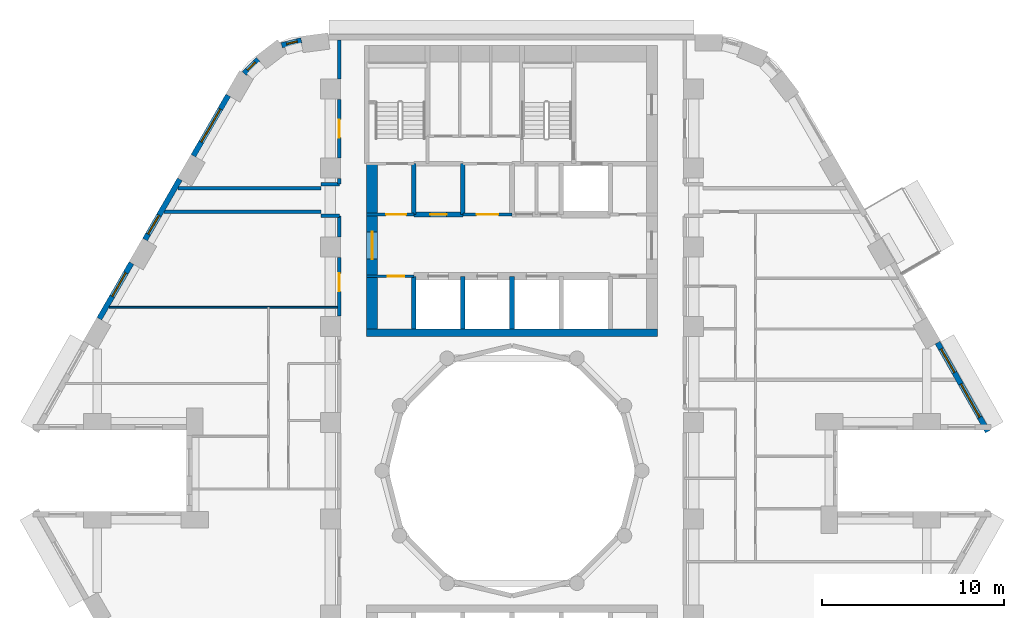
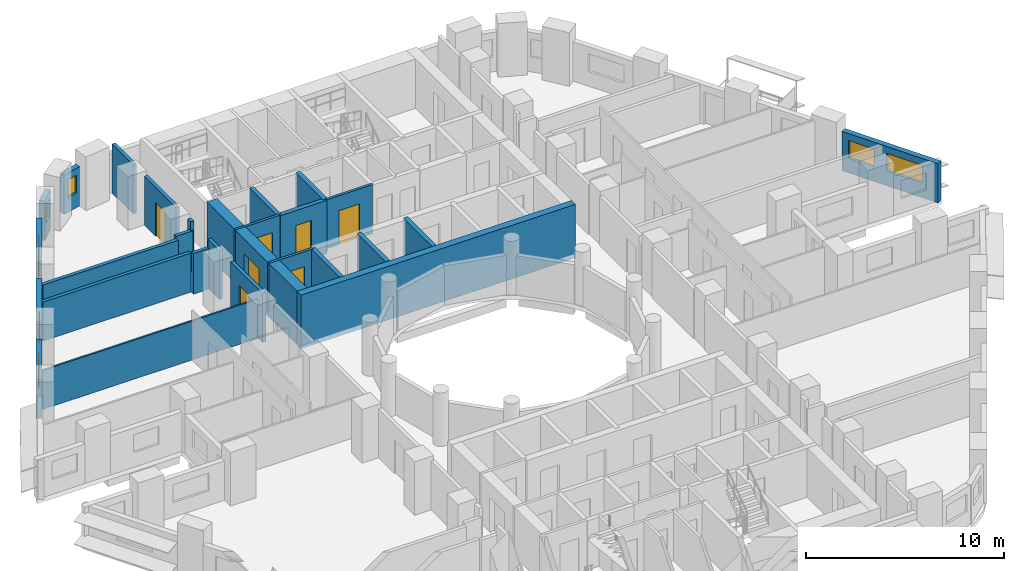
# One storey, part 7 of 13: 27 walls, 7 doors, 7 windows, 14 openings.
"""IFC4 building model written with IfcOpenShell, lengths in metres."""

from ifc_helpers import new_model, si_unit, direction, frame, frame_2d, origin, place, context, subcontext, project, spatial, rectangle, extrude, material, layer, layer_set, type_object, element, fill, save


model = new_model("IFC4")

# Units and contexts
model_context = context("Model", 3, precision=1e-05, world=origin(), true_north=direction((0.0, 1.0)))
body_context = subcontext(model_context, "Body", "Model", "MODEL_VIEW")
ifc_project = project(units=[si_unit("LENGTHUNIT", "METRE"), si_unit("AREAUNIT", "SQUARE_METRE"), si_unit("VOLUMEUNIT", "CUBIC_METRE"), si_unit("PLANEANGLEUNIT", "RADIAN"), si_unit("MASSUNIT", "GRAM", prefix="KILO")], contexts=[model_context])

# Site, building, storey
site_placement = place(None, origin())
site = spatial("IfcSite", under=ifc_project, at=site_placement, CompositionType="ELEMENT")
building_placement = place(site_placement, origin())
building = spatial("IfcBuilding", under=site, at=building_placement, Name="Nakaniwa Court", CompositionType="ELEMENT")
storey_placement = place(building_placement, frame((0.0, 0.0, 61.199951171875)))
storey = spatial("IfcBuildingStorey", under=building, at=storey_placement, Name="L16", CompositionType="ELEMENT", Elevation=61.199951171875)

# Walls
ifc_material_1 = material(Name="Acoustic double stud partition")
ifc_layer_1 = layer(ifc_material_1, 0.199951171875)
ifc_layer_set_1 = layer_set([ifc_layer_1], Name="Acoustic double stud partition")
wall_type_1 = type_object("IfcWallType", Name="Acoustic double stud partition 200", PredefinedType="PARTITIONING", material=ifc_layer_set_1)
wall_1_placement = place(storey_placement, frame((60.86083984375, 94.25, 0.0), z_axis=(0.0, 0.0, 1.0), x_axis=(1.0, 0.0, 0.0)))
element("IfcWall", 1, at=wall_1_placement, inside=storey, type_object=wall_type_1, Name="Partition PW-084", PredefinedType="PARTITIONING", context=body_context, shape_type="SweptSolid", body=[
    extrude(rectangle(XDim=8.63916015625, YDim=0.199951171875, at=frame_2d((4.319580078125, 0.0))), origin(), (0.0, 0.0, 1.0), 2.405029296875),
])
for number, where, z_axis, x_axis, name in (
    (2, (69.5, 94.02490234375, 0.0), (0.0, 0.0, 1.0), (1.0, 0.0, 0.0), "Partition PW-086"),
    (3, (69.5, 95.77490234375, 0.0), (0.0, 0.0, 1.0), (1.0, 0.0, 0.0), "Partition PW-088"),
):
    element("IfcWall", number, at=place(storey_placement, frame(where, z_axis=z_axis, x_axis=x_axis)), inside=storey, type_object=wall_type_1, Name=name, PredefinedType="PARTITIONING", context=body_context, shape_type="SweptSolid", body=[
        extrude(rectangle(XDim=1.0, YDim=0.199951171875, at=frame_2d((0.5, 0.0))), origin(), (0.0, 0.0, 1.0), 2.505126953125),
    ])
wall_2_placement = place(storey_placement, frame((61.611328125, 95.550048828125, 0.0), z_axis=(0.0, 0.0, 1.0), x_axis=(1.0, 0.0, 0.0)))
element("IfcWall", 4, at=wall_2_placement, inside=storey, type_object=wall_type_1, Name="Partition PW-090", PredefinedType="PARTITIONING", context=body_context, shape_type="SweptSolid", body=[
    extrude(rectangle(XDim=7.888671875, YDim=0.199951171875, at=frame_2d((3.9443359375, 0.0))), origin(), (0.0, 0.0, 1.0), 2.405029296875),
])

# Wall, opening, door
wall_3_placement = place(storey_placement, frame((70.5, 88.51708984375, 0.0), z_axis=(0.0, 0.0, 1.0), x_axis=(0.0, 1.0, 0.0)))
wall_3 = element("IfcWall", 5, at=wall_3_placement, inside=storey, type_object=wall_type_1, Name="Partition PW-108", PredefinedType="PARTITIONING", context=body_context, shape_type="SweptSolid", body=[
    extrude(rectangle(XDim=3.2158203125, YDim=0.199951171875, at=frame_2d((1.60791015625, 0.0))), origin(), (0.0, 0.0, 1.0), 3.025146484375),
])
opening_1_placement = place(wall_3_placement, frame((1.347900390625, 0.0, 0.0)))
opening_1 = element("IfcOpeningElement", 6, at=opening_1_placement, cuts=wall_3, Name="Opening D-02-06", PredefinedType="OPENING", context=body_context, shape_type="SweptSolid", body=[
    extrude(rectangle(XDim=1.0, YDim=2.10009765625, at=frame_2d((0.5, 1.050048828125))), frame((0.0, 0.10986328125, 0.0), z_axis=(0.0, -1.0, 0.0), x_axis=(1.0, 0.0, 0.0)), (0.0, 0.0, 1.0), 0.219970703125),
])
ifc_material_2 = material(Name="Solid core timber door set, black veneer", Category="wood")
door_type_1 = type_object("IfcDoorType", Name="Internal door 1000", OperationType="NOTDEFINED", PredefinedType="DOOR", material=ifc_material_2)
door_1_placement = place(opening_1_placement, origin())
door_1 = element("IfcDoor", 7, at=door_1_placement, inside=storey, type_object=door_type_1, Name="Door D-02-06 L16-052", OperationType="SINGLE_SWING_LEFT", OverallHeight=2.10009765625, OverallWidth=1.0, PredefinedType="DOOR", context=body_context, shape_type="SweptSolid", body=[
    extrude(rectangle(XDim=1.0, YDim=2.10009765625, at=frame_2d((0.5, 1.050048828125))), frame((0.0, 0.02490234375, 0.0), z_axis=(0.0, -1.0, 0.0), x_axis=(1.0, 0.0, 0.0)), (0.0, 0.0, 1.0), 0.050048828125),
])
fill(opening_1, door_1)

# Walls
wall_4_placement = place(storey_placement, frame((70.5, 92.866943359375, 0.0), z_axis=(0.0, 0.0, 1.0), x_axis=(0.0, 1.0, 0.0)))
element("IfcWall", 8, at=wall_4_placement, inside=storey, type_object=wall_type_1, Name="Partition PW-109", PredefinedType="PARTITIONING", context=body_context, shape_type="SweptSolid", body=[
    extrude(rectangle(XDim=1.1611328125, YDim=0.199951171875, at=frame_2d((0.58056640625, 0.0))), origin(), (0.0, 0.0, 1.0), 3.025146484375),
])
wall_5_placement = place(storey_placement, frame((70.5, 95.77197265625, 0.0), z_axis=(0.0, 0.0, 1.0), x_axis=(0.0, 1.0, 0.0)))
element("IfcWall", 9, at=wall_5_placement, inside=storey, type_object=wall_type_1, Name="Partition PW-110", PredefinedType="PARTITIONING", context=body_context, shape_type="SweptSolid", body=[
    extrude(rectangle(XDim=0.31103515625, YDim=0.199951171875, at=frame_2d((0.155517578125, 0.0))), origin(), (0.0, 0.0, 1.0), 3.025146484375),
])

# Wall, opening, door
wall_6_placement = place(storey_placement, frame((70.5, 97.217041015625, 0.0), z_axis=(0.0, 0.0, 1.0), x_axis=(0.0, 1.0, 0.0)))
wall_6 = element("IfcWall", 10, at=wall_6_placement, inside=storey, type_object=wall_type_1, Name="Partition PW-111", PredefinedType="PARTITIONING", context=body_context, shape_type="SweptSolid", body=[
    extrude(rectangle(XDim=3.216064453125, YDim=0.199951171875, at=frame_2d((1.60791015625, 0.0))), origin(), (0.0, 0.0, 1.0), 3.025146484375),
])
opening_2_placement = place(wall_6_placement, frame((1.10791015625, 0.0, 0.0)))
opening_2 = element("IfcOpeningElement", 11, at=opening_2_placement, cuts=wall_6, Name="Opening D-02-07", PredefinedType="OPENING", context=body_context, shape_type="SweptSolid", body=[
    extrude(rectangle(XDim=1.0, YDim=2.10009765625, at=frame_2d((0.5, 1.050048828125))), frame((0.0, 0.10986328125, 0.0), z_axis=(0.0, -1.0, 0.0), x_axis=(1.0, 0.0, 0.0)), (0.0, 0.0, 1.0), 0.219970703125),
])
door_2_placement = place(opening_2_placement, origin())
door_2 = element("IfcDoor", 12, at=door_2_placement, inside=storey, type_object=door_type_1, Name="Door D-02-07 L16-053", OperationType="SINGLE_SWING_RIGHT", OverallHeight=2.10009765625, OverallWidth=1.0, PredefinedType="DOOR", context=body_context, shape_type="SweptSolid", body=[
    extrude(rectangle(XDim=1.0, YDim=2.10009765625, at=frame_2d((0.5, 1.050048828125))), frame((0.0, 0.02490234375, 0.0), z_axis=(0.0, -1.0, 0.0), x_axis=(1.0, 0.0, 0.0)), (0.0, 0.0, 1.0), 0.050048828125),
])
fill(opening_2, door_2)

# Wall
wall_7_placement = place(storey_placement, frame((70.5, 101.56689453125, 0.0), z_axis=(0.0, 0.0, 1.0), x_axis=(0.0, 1.0, 0.0)))
element("IfcWall", 13, at=wall_7_placement, inside=storey, type_object=wall_type_1, Name="Partition PW-112", PredefinedType="PARTITIONING", context=body_context, shape_type="SweptSolid", body=[
    extrude(rectangle(XDim=2.133056640625, YDim=0.199951171875, at=frame_2d((1.06640625, 0.0))), origin(), (0.0, 0.0, 1.0), 3.025146484375),
])

# Wall, openings, windows
ifc_material_3 = material(Name="Charcoal ceramic cladding")
ifc_layer_2 = layer(ifc_material_3, 0.02, Name="Ceramic cladding")
ifc_material_4 = material(Name="Ventilated air cavity")
ifc_layer_3 = layer(ifc_material_4, 0.04, ventilated=True, Name="Ventilated cavity")
ifc_material_5 = material(Name="Mineral wool insulation")
ifc_layer_4 = layer(ifc_material_5, 0.1, Name="Insulation")
ifc_material_6 = material(Name="Cement bonded sheathing board")
ifc_layer_5 = layer(ifc_material_6, 0.012, Name="Sheathing")
ifc_material_7 = material(Name="Cold-formed galvanised stud frame with mineral wool infill")
ifc_layer_6 = layer(ifc_material_7, 0.1, Name="Stud frame")
ifc_material_8 = material(Name="Fire-rated gypsum plasterboard lining")
ifc_layer_7 = layer(ifc_material_8, 0.028, Name="Lining")
ifc_layer_set_2 = layer_set([ifc_layer_2, ifc_layer_3, ifc_layer_4, ifc_layer_5, ifc_layer_6, ifc_layer_7], Name="Charcoal ceramic faced external wall system")
wall_type_2 = type_object("IfcWallType", Name="Black ceramic faced external wall 300", PredefinedType="SOLIDWALL", material=ifc_layer_set_2)
wall_8_placement = place(storey_placement, frame((106.18603515625, 82.1533203125, 0.0), z_axis=(0.0, 0.0, 1.0), x_axis=(-0.492363204642, 0.870389840655, 0.0)))
wall_8 = element("IfcWall", 14, at=wall_8_placement, inside=storey, type_object=wall_type_2, Name="L16 external wall 02", PredefinedType="SOLIDWALL", context=body_context, shape_type="SweptSolid", body=[
    extrude(rectangle(XDim=5.62646484375, YDim=0.300048828125, at=frame_2d((2.813232421875, 0.0))), origin(), (0.0, 0.0, 1.0), 2.425048828125),
])
opening_3_placement = place(wall_8_placement, frame((0.9091796875, 0.0, 0.89990234375)))
opening_3 = element("IfcOpeningElement", 15, at=opening_3_placement, cuts=wall_8, Name="Opening W7.03", PredefinedType="OPENING", context=body_context, shape_type="SweptSolid", body=[
    extrude(rectangle(XDim=2.10009765625, YDim=1.10009765625, at=frame_2d((1.050048828125, 0.550048828125))), frame((0.0, 0.159912109375, 0.0), z_axis=(0.0, -1.0, 0.0), x_axis=(1.0, 0.0, 0.0)), (0.0, 0.0, 1.0), 0.320068359375),
])
opening_4_placement = place(wall_8_placement, frame((3.73388671875, 0.0, 0.89990234375)))
opening_4 = element("IfcOpeningElement", 16, at=opening_4_placement, cuts=wall_8, Name="Opening W5.04", PredefinedType="OPENING", context=body_context, shape_type="SweptSolid", body=[
    extrude(rectangle(XDim=1.5, YDim=1.10009765625, at=frame_2d((0.75, 0.550048828125))), frame((0.0, 0.159912109375, 0.0), z_axis=(0.0, -1.0, 0.0), x_axis=(1.0, 0.0, 0.0)), (0.0, 0.0, 1.0), 0.320068359375),
])
ifc_material_9 = material(Name="Black anodised aluminium frame with dark low-E laminated double glazing", Category="aluminium")
window_type_1 = type_object("IfcWindowType", Name="Dark glass window 1500x1100 sill 900", PartitioningType="SINGLE_PANEL", PredefinedType="WINDOW", material=ifc_material_9)
window_1_placement = place(opening_4_placement, origin())
window_1 = element("IfcWindow", 17, at=window_1_placement, inside=storey, type_object=window_type_1, Name="L16 bedroom window 02-1", OverallHeight=1.10009765625, OverallWidth=1.5, PartitioningType="SINGLE_PANEL", PredefinedType="WINDOW", context=body_context, shape_type="SweptSolid", body=[
    extrude(rectangle(XDim=1.5, YDim=1.10009765625, at=frame_2d((0.75, 0.550048828125))), frame((0.0, 0.030029296875, 0.0), z_axis=(0.0, -1.0, 0.0), x_axis=(1.0, 0.0, 0.0)), (0.0, 0.0, 1.0), 0.06005859375),
])
fill(opening_4, window_1)
window_type_2 = type_object("IfcWindowType", Name="Dark glass window 2100x1100 sill 900", PartitioningType="SINGLE_PANEL", PredefinedType="WINDOW", material=ifc_material_9)
window_2_placement = place(opening_3_placement, origin())
window_2 = element("IfcWindow", 18, at=window_2_placement, inside=storey, type_object=window_type_2, Name="L16 living window 02-0", OverallHeight=1.10009765625, OverallWidth=2.10009765625, PartitioningType="SINGLE_PANEL", PredefinedType="WINDOW", context=body_context, shape_type="SweptSolid", body=[
    extrude(rectangle(XDim=2.10009765625, YDim=1.10009765625, at=frame_2d((1.050048828125, 0.550048828125))), frame((0.0, 0.030029296875, 0.0), z_axis=(0.0, -1.0, 0.0), x_axis=(1.0, 0.0, 0.0)), (0.0, 0.0, 1.0), 0.06005859375),
])
fill(opening_3, window_2)

# Wall, opening, window
wall_9_placement = place(storey_placement, frame((68.4052734375, 103.68310546875, 0.0), z_axis=(0.0, 0.0, 1.0), x_axis=(-0.969766298956, -0.244035500304, 0.0)))
wall_9 = element("IfcWall", 19, at=wall_9_placement, inside=storey, type_object=wall_type_2, Name="L16 external wall 09", PredefinedType="SOLIDWALL", context=body_context, shape_type="SweptSolid", body=[
    extrude(rectangle(XDim=1.110595703125, YDim=0.300048828125, at=frame_2d((0.55517578125, 0.0))), origin(), (0.0, 0.0, 1.0), 2.425048828125),
])
opening_5_placement = place(wall_9_placement, frame((0.230712890625, 0.0, 0.89990234375)))
opening_5 = element("IfcOpeningElement", 20, at=opening_5_placement, cuts=wall_9, Name="Opening W8.09", PredefinedType="OPENING", context=body_context, shape_type="SweptSolid", body=[
    extrude(rectangle(XDim=0.60009765625, YDim=1.10009765625, at=frame_2d((0.300048828125, 0.550048828125))), frame((0.0, 0.159912109375, 0.0), z_axis=(0.0, -1.0, 0.0), x_axis=(1.0, 0.0, 0.0)), (0.0, 0.0, 1.0), 0.320068359375),
])
window_type_3 = type_object("IfcWindowType", Name="Dark glass window 600x1100 sill 900", PartitioningType="SINGLE_PANEL", PredefinedType="WINDOW", material=ifc_material_9)
window_3_placement = place(opening_5_placement, origin())
window_3 = element("IfcWindow", 21, at=window_3_placement, inside=storey, type_object=window_type_3, Name="L16 habitable room window 09-0", OverallHeight=1.10009765625, OverallWidth=0.60009765625, PartitioningType="SINGLE_PANEL", PredefinedType="WINDOW", context=body_context, shape_type="SweptSolid", body=[
    extrude(rectangle(XDim=0.60009765625, YDim=1.10009765625, at=frame_2d((0.300048828125, 0.550048828125))), frame((0.0, 0.030029296875, 0.0), z_axis=(0.0, -1.0, 0.0), x_axis=(1.0, 0.0, 0.0)), (0.0, 0.0, 1.0), 0.06005859375),
])
fill(opening_5, window_3)

wall_10_placement = place(storey_placement, frame((66.04150390625, 102.637451171875, 0.0), z_axis=(0.0, 0.0, 1.0), x_axis=(-0.708892395813, -0.705316646024, 0.0)))
wall_10 = element("IfcWall", 22, at=wall_10_placement, inside=storey, type_object=wall_type_2, Name="L16 external wall 10", PredefinedType="SOLIDWALL", context=body_context, shape_type="SweptSolid", body=[
    extrude(rectangle(XDim=1.092529296875, YDim=0.300048828125, at=frame_2d((0.54638671875, 0.0))), origin(), (0.0, 0.0, 1.0), 2.425048828125),
])
opening_6_placement = place(wall_10_placement, frame((0.23583984375, 0.0, 0.89990234375)))
opening_6 = element("IfcOpeningElement", 23, at=opening_6_placement, cuts=wall_10, Name="Opening W8.10", PredefinedType="OPENING", context=body_context, shape_type="SweptSolid", body=[
    extrude(rectangle(XDim=0.60009765625, YDim=1.10009765625, at=frame_2d((0.300048828125, 0.550048828125))), frame((0.0, 0.159912109375, 0.0), z_axis=(0.0, -1.0, 0.0), x_axis=(1.0, 0.0, 0.0)), (0.0, 0.0, 1.0), 0.320068359375),
])
window_4_placement = place(opening_6_placement, origin())
window_4 = element("IfcWindow", 24, at=window_4_placement, inside=storey, type_object=window_type_3, Name="L16 habitable room window 10-0", OverallHeight=1.10009765625, OverallWidth=0.60009765625, PartitioningType="SINGLE_PANEL", PredefinedType="WINDOW", context=body_context, shape_type="SweptSolid", body=[
    extrude(rectangle(XDim=0.60009765625, YDim=1.10009765625, at=frame_2d((0.300048828125, 0.550048828125))), frame((0.0, 0.030029296875, 0.0), z_axis=(0.0, -1.0, 0.0), x_axis=(1.0, 0.0, 0.0)), (0.0, 0.0, 1.0), 0.06005859375),
])
fill(opening_6, window_4)

wall_11_placement = place(storey_placement, frame((64.384765625, 100.653564453125, 0.0), z_axis=(0.0, 0.0, 1.0), x_axis=(-0.499974163209, -0.866040320149, 0.0)))
wall_11 = element("IfcWall", 25, at=wall_11_placement, inside=storey, type_object=wall_type_2, Name="L16 external wall 11", PredefinedType="SOLIDWALL", context=body_context, shape_type="SweptSolid", body=[
    extrude(rectangle(XDim=3.834228515625, YDim=0.300048828125, at=frame_2d((1.9169921875, 0.0))), origin(), (0.0, 0.0, 1.0), 2.425048828125),
])
opening_7_placement = place(wall_11_placement, frame((0.866943359375, 0.0, 0.89990234375)))
opening_7 = element("IfcOpeningElement", 26, at=opening_7_placement, cuts=wall_11, Name="Opening W7.11", PredefinedType="OPENING", context=body_context, shape_type="SweptSolid", body=[
    extrude(rectangle(XDim=2.10009765625, YDim=1.10009765625, at=frame_2d((1.050048828125, 0.550048828125))), frame((0.0, 0.159912109375, 0.0), z_axis=(0.0, -1.0, 0.0), x_axis=(1.0, 0.0, 0.0)), (0.0, 0.0, 1.0), 0.320068359375),
])
window_5_placement = place(opening_7_placement, origin())
window_5 = element("IfcWindow", 27, at=window_5_placement, inside=storey, type_object=window_type_2, Name="L16 habitable room window 11-0", OverallHeight=1.10009765625, OverallWidth=2.10009765625, PartitioningType="SINGLE_PANEL", PredefinedType="WINDOW", context=body_context, shape_type="SweptSolid", body=[
    extrude(rectangle(XDim=2.10009765625, YDim=1.10009765625, at=frame_2d((1.050048828125, 0.550048828125))), frame((0.0, 0.030029296875, 0.0), z_axis=(0.0, -1.0, 0.0), x_axis=(1.0, 0.0, 0.0)), (0.0, 0.0, 1.0), 0.06005859375),
])
fill(opening_7, window_5)

wall_12_placement = place(storey_placement, frame((61.7216796875, 96.041015625, 0.0), z_axis=(0.0, 0.0, 1.0), x_axis=(-0.500001735503, -0.866024401789, 0.0)))
wall_12 = element("IfcWall", 28, at=wall_12_placement, inside=storey, type_object=wall_type_2, Name="L16 external wall 12", PredefinedType="SOLIDWALL", context=body_context, shape_type="SweptSolid", body=[
    extrude(rectangle(XDim=3.833984375, YDim=0.300048828125, at=frame_2d((1.9169921875, 0.0))), origin(), (0.0, 0.0, 1.0), 2.425048828125),
])
opening_8_placement = place(wall_12_placement, frame((2.2900390625, 0.0, 0.89990234375)))
opening_8 = element("IfcOpeningElement", 29, at=opening_8_placement, cuts=wall_12, Name="Opening W6.12", PredefinedType="OPENING", context=body_context, shape_type="SweptSolid", body=[
    extrude(rectangle(XDim=1.199951171875, YDim=1.10009765625, at=frame_2d((0.60009765625, 0.550048828125))), frame((0.0, 0.159912109375, 0.0), z_axis=(0.0, -1.0, 0.0), x_axis=(1.0, 0.0, 0.0)), (0.0, 0.0, 1.0), 0.320068359375),
])
window_type_4 = type_object("IfcWindowType", Name="Dark glass window 1200x1100 sill 900", PartitioningType="SINGLE_PANEL", PredefinedType="WINDOW", material=ifc_material_9)
window_6_placement = place(opening_8_placement, origin())
window_6 = element("IfcWindow", 30, at=window_6_placement, inside=storey, type_object=window_type_4, Name="L16 habitable room window 12-2", OverallHeight=1.10009765625, OverallWidth=1.199951171875, PartitioningType="SINGLE_PANEL", PredefinedType="WINDOW", context=body_context, shape_type="SweptSolid", body=[
    extrude(rectangle(XDim=1.199951171875, YDim=1.10009765625, at=frame_2d((0.60009765625, 0.550048828125))), frame((0.0, 0.030029296875, 0.0), z_axis=(0.0, -1.0, 0.0), x_axis=(1.0, 0.0, 0.0)), (0.0, 0.0, 1.0), 0.06005859375),
])
fill(opening_8, window_6)

wall_13_placement = place(storey_placement, frame((59.05859375, 91.4287109375, 0.0), z_axis=(0.0, 0.0, 1.0), x_axis=(-0.499977402622, -0.866038449993, 0.0)))
wall_13 = element("IfcWall", 31, at=wall_13_placement, inside=storey, type_object=wall_type_2, Name="L16 external wall 13", PredefinedType="SOLIDWALL", context=body_context, shape_type="SweptSolid", body=[
    extrude(rectangle(XDim=3.536865234375, YDim=0.300048828125, at=frame_2d((1.7685546875, 0.0))), origin(), (0.0, 0.0, 1.0), 2.425048828125),
])
opening_9_placement = place(wall_13_placement, frame((0.614990234375, 0.0, 0.89990234375)))
opening_9 = element("IfcOpeningElement", 32, at=opening_9_placement, cuts=wall_13, Name="Opening W5.13", PredefinedType="OPENING", context=body_context, shape_type="SweptSolid", body=[
    extrude(rectangle(XDim=1.5, YDim=1.10009765625, at=frame_2d((0.75, 0.550048828125))), frame((0.0, 0.159912109375, 0.0), z_axis=(0.0, -1.0, 0.0), x_axis=(1.0, 0.0, 0.0)), (0.0, 0.0, 1.0), 0.320068359375),
])
window_7_placement = place(opening_9_placement, origin())
window_7 = element("IfcWindow", 33, at=window_7_placement, inside=storey, type_object=window_type_1, Name="L16 habitable room window 13-0", OverallHeight=1.10009765625, OverallWidth=1.5, PartitioningType="SINGLE_PANEL", PredefinedType="WINDOW", context=body_context, shape_type="SweptSolid", body=[
    extrude(rectangle(XDim=1.5, YDim=1.10009765625, at=frame_2d((0.75, 0.550048828125))), frame((0.0, 0.030029296875, 0.0), z_axis=(0.0, -1.0, 0.0), x_axis=(1.0, 0.0, 0.0)), (0.0, 0.0, 1.0), 0.06005859375),
])
fill(opening_9, window_7)

# Wall, opening, door
ifc_material_10 = material(Name="Blockwork partition", Category="masonry")
ifc_layer_8 = layer(ifc_material_10, 0.14990234375)
ifc_layer_set_3 = layer_set([ifc_layer_8], Name="Blockwork partition")
wall_type_3 = type_object("IfcWallType", Name="Blockwork partition 150", PredefinedType="PARTITIONING", material=ifc_layer_set_3)
wall_14_placement = place(storey_placement, frame((74.60009765625, 90.699951171875, 0.0), z_axis=(0.0, 0.0, 1.0), x_axis=(-1.0, 0.0, 0.0)))
wall_14 = element("IfcWall", 34, at=wall_14_placement, inside=storey, type_object=wall_type_3, Name="Partition PW-003", PredefinedType="PARTITIONING", context=body_context, shape_type="SweptSolid", body=[
    extrude(rectangle(XDim=2.60009765625, YDim=0.14990234375, at=frame_2d((1.300048828125, 0.0))), origin(), (0.0, 0.0, 1.0), 3.025146484375),
])
opening_10_placement = place(wall_14_placement, frame((0.52490234375, 0.0, 0.0)))
opening_10 = element("IfcOpeningElement", 35, at=opening_10_placement, cuts=wall_14, Name="Opening D-05-01", PredefinedType="OPENING", context=body_context, shape_type="SweptSolid", body=[
    extrude(rectangle(XDim=0.89990234375, YDim=2.10009765625, at=frame_2d((0.449951171875, 1.050048828125))), frame((0.0, 0.0849609375, 0.0), z_axis=(0.0, -1.0, 0.0), x_axis=(1.0, 0.0, 0.0)), (0.0, 0.0, 1.0), 0.169921875),
])
ifc_material_11 = material(Name="Fire rated steel door set", Category="steel")
door_type_2 = type_object("IfcDoorType", Name="Service room door 900", OperationType="NOTDEFINED", PredefinedType="DOOR", material=ifc_material_11)
door_3_placement = place(opening_10_placement, origin())
door_3 = element("IfcDoor", 36, at=door_3_placement, inside=storey, type_object=door_type_2, Name="Door D-05-01 L16-001", OperationType="SINGLE_SWING_RIGHT", OverallHeight=2.10009765625, OverallWidth=0.89990234375, PredefinedType="DOOR", context=body_context, shape_type="SweptSolid", body=[
    extrude(rectangle(XDim=0.89990234375, YDim=2.10009765625, at=frame_2d((0.449951171875, 1.050048828125))), frame((0.0, 0.02490234375, 0.0), z_axis=(0.0, -1.0, 0.0), x_axis=(1.0, 0.0, 0.0)), (0.0, 0.0, 1.0), 0.050048828125),
])
fill(opening_10, door_3)

wall_15_placement = place(storey_placement, frame((72.0, 94.10009765625, 0.0), z_axis=(0.0, 0.0, 1.0), x_axis=(1.0, 0.0, 0.0)))
wall_15 = element("IfcWall", 37, at=wall_15_placement, inside=storey, type_object=wall_type_3, Name="Partition PW-016", PredefinedType="PARTITIONING", context=body_context, shape_type="SweptSolid", body=[
    extrude(rectangle(XDim=2.60302734375, YDim=0.14990234375, at=frame_2d((1.301513671875, 0.0))), origin(), (0.0, 0.0, 1.0), 3.025146484375),
])
opening_11_placement = place(wall_15_placement, frame((1.074951171875, 0.0, 0.0)))
opening_11 = element("IfcOpeningElement", 38, at=opening_11_placement, cuts=wall_15, Name="Opening D-08-01", PredefinedType="OPENING", context=body_context, shape_type="SweptSolid", body=[
    extrude(rectangle(XDim=1.10009765625, YDim=2.10009765625, at=frame_2d((0.550048828125, 1.050048828125))), frame((0.0, 0.0849609375, 0.0), z_axis=(0.0, -1.0, 0.0), x_axis=(1.0, 0.0, 0.0)), (0.0, 0.0, 1.0), 0.169921875),
])
door_type_3 = type_object("IfcDoorType", Name="Stair lobby door 1100", OperationType="NOTDEFINED", PredefinedType="DOOR", material=ifc_material_11)
door_4_placement = place(opening_11_placement, origin())
door_4 = element("IfcDoor", 39, at=door_4_placement, inside=storey, type_object=door_type_3, Name="Door D-08-01 L16-003", OperationType="SINGLE_SWING_RIGHT", OverallHeight=2.10009765625, OverallWidth=1.10009765625, PredefinedType="DOOR", context=body_context, shape_type="SweptSolid", body=[
    extrude(rectangle(XDim=1.10009765625, YDim=2.10009765625, at=frame_2d((0.550048828125, 1.050048828125))), frame((0.0, 0.02490234375, 0.0), z_axis=(0.0, -1.0, 0.0), x_axis=(1.0, 0.0, 0.0)), (0.0, 0.0, 1.0), 0.050048828125),
])
fill(opening_11, door_4)

wall_16_placement = place(storey_placement, frame((77.297119140625, 94.10009765625, 0.0), z_axis=(0.0, 0.0, 1.0), x_axis=(1.0, 0.0, 0.0)))
wall_16 = element("IfcWall", 40, at=wall_16_placement, inside=storey, type_object=wall_type_3, Name="Partition PW-017", PredefinedType="PARTITIONING", context=body_context, shape_type="SweptSolid", body=[
    extrude(rectangle(XDim=2.705810546875, YDim=0.14990234375, at=frame_2d((1.35302734375, 0.0))), origin(), (0.0, 0.0, 1.0), 3.025146484375),
])
opening_12_placement = place(wall_16_placement, frame((0.7529296875, 0.0, 0.0)))
opening_12 = element("IfcOpeningElement", 41, at=opening_12_placement, cuts=wall_16, Name="Opening D-06-01", PredefinedType="OPENING", context=body_context, shape_type="SweptSolid", body=[
    extrude(rectangle(XDim=1.199951171875, YDim=2.10009765625, at=frame_2d((0.60009765625, 1.050048828125))), frame((0.0, 0.0849609375, 0.0), z_axis=(0.0, -1.0, 0.0), x_axis=(1.0, 0.0, 0.0)), (0.0, 0.0, 1.0), 0.169921875),
])
ifc_material_12 = material(Name="Fire rated steel double door set", Category="steel")
door_type_4 = type_object("IfcDoorType", Name="Service passage double door 1200", OperationType="NOTDEFINED", PredefinedType="DOOR", material=ifc_material_12)
door_5_placement = place(opening_12_placement, origin())
door_5 = element("IfcDoor", 42, at=door_5_placement, inside=storey, type_object=door_type_4, Name="Door D-06-01 L16-005", OperationType="DOUBLE_DOOR_SINGLE_SWING", OverallHeight=2.10009765625, OverallWidth=1.199951171875, PredefinedType="DOOR", context=body_context, shape_type="SweptSolid", body=[
    extrude(rectangle(XDim=1.199951171875, YDim=2.10009765625, at=frame_2d((0.60009765625, 1.050048828125))), frame((0.0, 0.02490234375, 0.0), z_axis=(0.0, -1.0, 0.0), x_axis=(1.0, 0.0, 0.0)), (0.0, 0.0, 1.0), 0.050048828125),
])
fill(opening_12, door_5)

ifc_material_13 = material(Name="Concrete C100/115", Category="concrete")
ifc_layer_9 = layer(ifc_material_13, 0.60009765625)
ifc_layer_set_4 = layer_set([ifc_layer_9], Name="Concrete C100/115")
wall_type_4 = type_object("IfcWallType", Name="Concrete core side wall 600 C100", PredefinedType="SHEAR", material=ifc_layer_set_4)
wall_17_placement = place(storey_placement, frame((72.300048828125, 87.800048828125, -0.27490234375), z_axis=(0.0, 0.0, 1.0), x_axis=(0.0, 1.0, 0.0)))
wall_17 = element("IfcWall", 43, at=wall_17_placement, inside=storey, type_object=wall_type_4, Name="Core wall SW-04", PredefinedType="SHEAR", context=body_context, shape_type="SweptSolid", body=[
    extrude(rectangle(XDim=9.099853515625, YDim=0.60009765625, at=frame_2d((4.5498046875, 0.0))), origin(), (0.0, 0.0, 1.0), 3.300048828125),
])
opening_13_placement = place(wall_17_placement, frame((3.85009765625, 0.0, 0.27490234375)))
opening_13 = element("IfcOpeningElement", 44, at=opening_13_placement, cuts=wall_17, Name="Opening D-07-02", PredefinedType="OPENING", context=body_context, shape_type="SweptSolid", body=[
    extrude(rectangle(XDim=1.5, YDim=2.10009765625, at=frame_2d((0.75, 1.050048828125))), frame((0.0, 0.31005859375, 0.0), z_axis=(0.0, -1.0, 0.0), x_axis=(1.0, 0.0, 0.0)), (0.0, 0.0, 1.0), 0.6201171875),
])
ifc_material_14 = material(Name="Glazed fire rated steel double door set", Category="steel")
door_type_5 = type_object("IfcDoorType", Name="Lobby double door 1500", OperationType="NOTDEFINED", PredefinedType="DOOR", material=ifc_material_14)
door_6_placement = place(opening_13_placement, origin())
door_6 = element("IfcDoor", 45, at=door_6_placement, inside=storey, type_object=door_type_5, Name="Door D-07-02 L16-055", OperationType="DOUBLE_DOOR_SINGLE_SWING", OverallHeight=2.10009765625, OverallWidth=1.5, PredefinedType="DOOR", context=body_context, shape_type="SweptSolid", body=[
    extrude(rectangle(XDim=1.5, YDim=2.10009765625, at=frame_2d((0.75, 1.050048828125))), frame((0.0, 0.02490234375, 0.0), z_axis=(0.0, -1.0, 0.0), x_axis=(1.0, 0.0, 0.0)), (0.0, 0.0, 1.0), 0.050048828125),
])
fill(opening_13, door_6)

# Walls
ifc_layer_10 = layer(ifc_material_13, 0.39990234375)
ifc_layer_set_5 = layer_set([ifc_layer_10], Name="Concrete C100/115")
wall_type_5 = type_object("IfcWallType", Name="Concrete core well wall 400 C100", PredefinedType="SHEAR", material=ifc_layer_set_5)
wall_18_placement = place(storey_placement, frame((72.00390625, 87.60009765625, -0.27490234375), z_axis=(0.0, 0.0, 1.0), x_axis=(1.0, 0.0, 0.0)))
element("IfcWall", 46, at=wall_18_placement, inside=storey, type_object=wall_type_5, Name="Core wall SW-134", PredefinedType="SHEAR", context=body_context, shape_type="SweptSolid", body=[
    extrude(rectangle(XDim=15.9921875, YDim=0.39990234375, at=frame_2d((7.99609375, 0.0))), origin(), (0.0, 0.0, 1.0), 3.300048828125),
])
ifc_layer_11 = layer(ifc_material_13, 0.25)
ifc_layer_set_6 = layer_set([ifc_layer_11], Name="Concrete C100/115")
wall_type_6 = type_object("IfcWallType", Name="Concrete shaft wall 250 C100", PredefinedType="SHEAR", material=ifc_layer_set_6)
wall_19_placement = place(storey_placement, frame((74.60009765625, 87.800048828125, -0.27490234375), z_axis=(0.0, 0.0, 1.0), x_axis=(0.0, 1.0, 0.0)))
element("IfcWall", 47, at=wall_19_placement, inside=storey, type_object=wall_type_6, Name="Core wall SW-01", PredefinedType="SHEAR", context=body_context, shape_type="SweptSolid", body=[
    extrude(rectangle(XDim=2.89990234375, YDim=0.25, at=frame_2d((1.449951171875, 0.0))), origin(), (0.0, 0.0, 1.0), 3.300048828125),
])
wall_20_placement = place(storey_placement, frame((74.60009765625, 94.10009765625, -0.27490234375), z_axis=(0.0, 0.0, 1.0), x_axis=(0.0, 1.0, 0.0)))
element("IfcWall", 48, at=wall_20_placement, inside=storey, type_object=wall_type_6, Name="Core wall SW-02", PredefinedType="SHEAR", context=body_context, shape_type="SweptSolid", body=[
    extrude(rectangle(XDim=2.7998046875, YDim=0.25, at=frame_2d((1.39990234375, 0.0))), origin(), (0.0, 0.0, 1.0), 3.300048828125),
])
wall_21_placement = place(storey_placement, frame((77.300048828125, 87.800048828125, -0.27490234375), z_axis=(0.0, 0.0, 1.0), x_axis=(0.0, 1.0, 0.0)))
element("IfcWall", 49, at=wall_21_placement, inside=storey, type_object=wall_type_6, Name="Core wall SW-05", PredefinedType="SHEAR", context=body_context, shape_type="SweptSolid", body=[
    extrude(rectangle(XDim=2.89990234375, YDim=0.25, at=frame_2d((1.449951171875, 0.0))), origin(), (0.0, 0.0, 1.0), 3.300048828125),
])
wall_22_placement = place(storey_placement, frame((77.300048828125, 94.10009765625, -0.27490234375), z_axis=(0.0, 0.0, 1.0), x_axis=(0.0, 1.0, 0.0)))
element("IfcWall", 50, at=wall_22_placement, inside=storey, type_object=wall_type_6, Name="Core wall SW-06", PredefinedType="SHEAR", context=body_context, shape_type="SweptSolid", body=[
    extrude(rectangle(XDim=2.7998046875, YDim=0.25, at=frame_2d((1.39990234375, 0.0))), origin(), (0.0, 0.0, 1.0), 3.300048828125),
])
wall_23_placement = place(storey_placement, frame((80.0, 87.800048828125, -0.27490234375), z_axis=(0.0, 0.0, 1.0), x_axis=(0.0, 1.0, 0.0)))
element("IfcWall", 51, at=wall_23_placement, inside=storey, type_object=wall_type_6, Name="Core wall SW-08", PredefinedType="SHEAR", context=body_context, shape_type="SweptSolid", body=[
    extrude(rectangle(XDim=2.89990234375, YDim=0.25, at=frame_2d((1.449951171875, 0.0))), origin(), (0.0, 0.0, 1.0), 3.300048828125),
])

# Wall, opening, door
wall_24_placement = place(storey_placement, frame((74.596923828125, 94.10009765625, -0.27490234375), z_axis=(0.0, 0.0, 1.0), x_axis=(1.0, 0.0, 0.0)))
wall_24 = element("IfcWall", 52, at=wall_24_placement, inside=storey, type_object=wall_type_6, Name="Core wall SW-19", PredefinedType="SHEAR", context=body_context, shape_type="SweptSolid", body=[
    extrude(rectangle(XDim=2.7060546875, YDim=0.25, at=frame_2d((1.35302734375, 0.0))), origin(), (0.0, 0.0, 1.0), 3.300048828125),
])
opening_14_placement = place(wall_24_placement, frame((0.903076171875, 0.0, 0.27490234375)))
opening_14 = element("IfcOpeningElement", 53, at=opening_14_placement, cuts=wall_24, Name="Opening D-05-03", PredefinedType="OPENING", context=body_context, shape_type="SweptSolid", body=[
    extrude(rectangle(XDim=0.89990234375, YDim=2.10009765625, at=frame_2d((0.449951171875, 1.050048828125))), frame((0.0, 0.135009765625, 0.0), z_axis=(0.0, -1.0, 0.0), x_axis=(1.0, 0.0, 0.0)), (0.0, 0.0, 1.0), 0.27001953125),
])
door_7_placement = place(opening_14_placement, origin())
door_7 = element("IfcDoor", 54, at=door_7_placement, inside=storey, type_object=door_type_2, Name="Door D-05-03 L16-004", OperationType="SINGLE_SWING_LEFT", OverallHeight=2.10009765625, OverallWidth=0.89990234375, PredefinedType="DOOR", context=body_context, shape_type="SweptSolid", body=[
    extrude(rectangle(XDim=0.89990234375, YDim=2.10009765625, at=frame_2d((0.449951171875, 1.050048828125))), frame((0.0, 0.02490234375, 0.0), z_axis=(0.0, -1.0, 0.0), x_axis=(1.0, 0.0, 0.0)), (0.0, 0.0, 1.0), 0.050048828125),
])
fill(opening_14, door_7)

# Wall
ifc_material_15 = material(Name="Single stud plasterboard partition")
ifc_layer_12 = layer(ifc_material_15, 0.10009765625)
ifc_layer_set_7 = layer_set([ifc_layer_12], Name="Single stud plasterboard partition")
wall_type_7 = type_object("IfcWallType", Name="Single stud plasterboard partition 100", PredefinedType="PARTITIONING", material=ifc_layer_set_7)
wall_25_placement = place(storey_placement, frame((57.829833984375, 89.0, 0.0), z_axis=(0.0, 0.0, 1.0), x_axis=(1.0, 0.0, 0.0)))
element("IfcWall", 55, at=wall_25_placement, inside=storey, type_object=wall_type_7, Name="Partition PW-131", PredefinedType="PARTITIONING", context=body_context, shape_type="SweptSolid", body=[
    extrude(rectangle(XDim=12.670166015625, YDim=0.10009765625, at=frame_2d((6.3349609375, 0.0))), origin(), (0.0, 0.0, 1.0), 2.405029296875),
])

save(model, "model.ifc")
